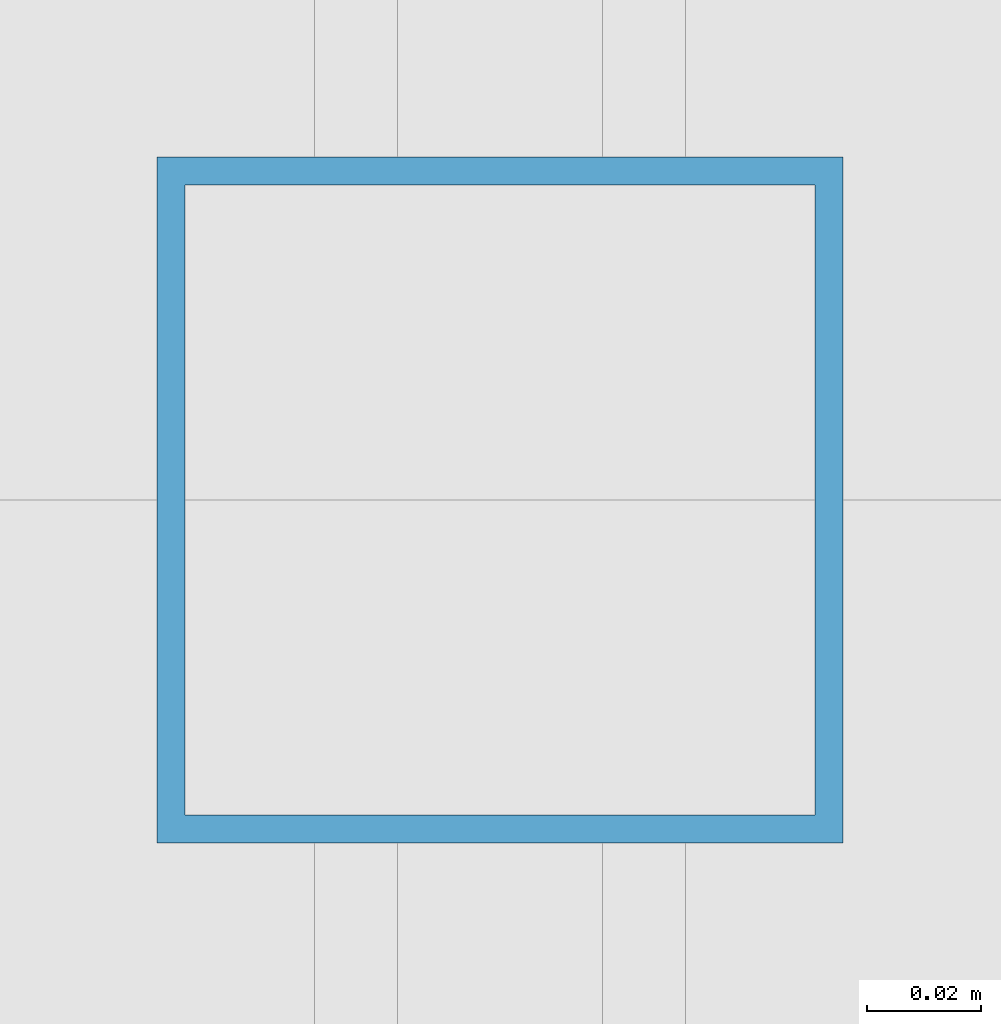
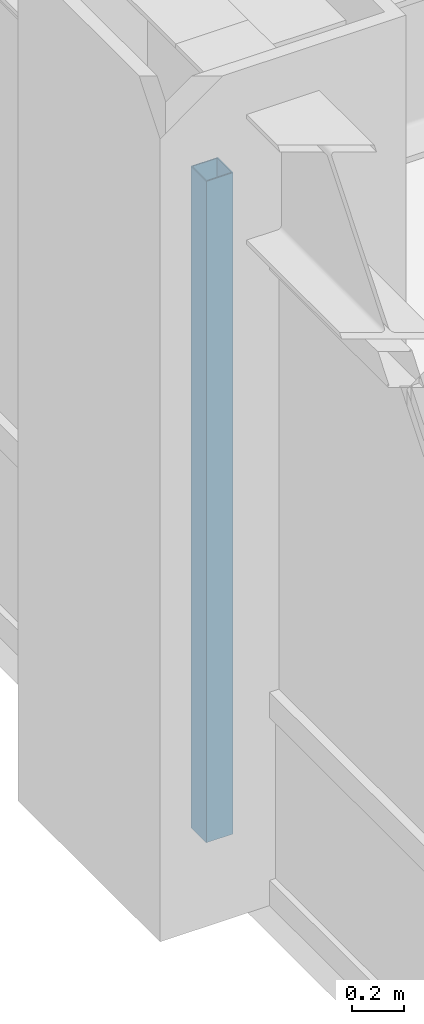
# One storey, part 6 of 28: 1 member, 1 element without a shape of its own.
"""IFC4 building model written with IfcOpenShell, lengths in metres."""

from ifc_helpers import new_model, si_unit, direction, frame, origin, origin_2d, place, context, subcontext, project, spatial, hollow_rectangle, extrude, source, transform, mapped, material, material_profile, profile_set, type_object, element, aggregate, save


model = new_model("IFC4")

# Units and contexts
model_context = context("Model", 3, precision=1e-05, world=origin(), true_north=direction((0.0, 1.0)))
body_context = subcontext(model_context, "Body", "Model", "MODEL_VIEW")
ifc_project = project(units=[si_unit("LENGTHUNIT", "METRE"), si_unit("AREAUNIT", "SQUARE_METRE"), si_unit("VOLUMEUNIT", "CUBIC_METRE"), si_unit("PLANEANGLEUNIT", "RADIAN"), si_unit("MASSUNIT", "GRAM", prefix="KILO")], contexts=[model_context])

# Site, building, storey
site_placement = place(None, origin())
site = spatial("IfcSite", under=ifc_project, at=site_placement, CompositionType="ELEMENT")
building_placement = place(site_placement, origin())
building = spatial("IfcBuilding", under=site, at=building_placement, Name="Khorayat Bourse Tower", CompositionType="ELEMENT")
storey_placement = place(building_placement, frame((0.0, 0.0, 187.10009765625)))
storey = spatial("IfcBuildingStorey", under=building, at=storey_placement, Name="L43", CompositionType="ELEMENT", Elevation=187.10009765625)

# Curtain wall, member
ifc_material = material(Name="Aluminium EN AW-6063 T6", Category="aluminium")
curtain_wall_type = type_object("IfcCurtainWallType", Name="CW-SYS-03", PredefinedType="NOTDEFINED", material=ifc_material)
curtain_wall_placement = place(storey_placement, origin())
curtain_wall = element("IfcCurtainWall", 1, at=curtain_wall_placement, inside=storey, type_object=curtain_wall_type, Name="L43 Curtain Wall CW-L43-W1", PredefinedType="NOTDEFINED")
ifc_material_profile = material_profile(ifc_material, hollow_rectangle(XDim=0.1201171875, YDim=0.1201171875, WallThickness=0.0048828125, at=origin_2d()), Name="ALU 120x120x5")
ifc_profile_set = profile_set([ifc_material_profile], Name="Aluminium EN AW-6063 T6")
member_type = type_object("IfcMemberType", Name="CWM-VERT-120", PredefinedType="MULLION", material=ifc_profile_set)
shared_shape = source(origin(), body_context, "Body", "SweptSolid", [
    extrude(hollow_rectangle(XDim=0.1201171875, YDim=0.1201171875, WallThickness=0.0048828125, at=origin_2d()), origin(), (0.0, 0.0, 1.0), 3.1298828125),
])
member_placement = place(storey_placement, frame((-30.0, 0.0, 0.0), z_axis=(0.0, 0.0, 1.0), x_axis=(-1.0, 0.0, 0.0)))
member = element("IfcMember", 2, at=member_placement, type_object=member_type, Name="CW-L43-W1 Vertical Mullion 2", PredefinedType="MULLION", context=body_context, shape_type="MappedRepresentation", body=[
    mapped(shared_shape, transform((0.0, 0.0, 0.0), scale=1.0)),
])
aggregate(curtain_wall, [member])

save(model, "model.ifc")
